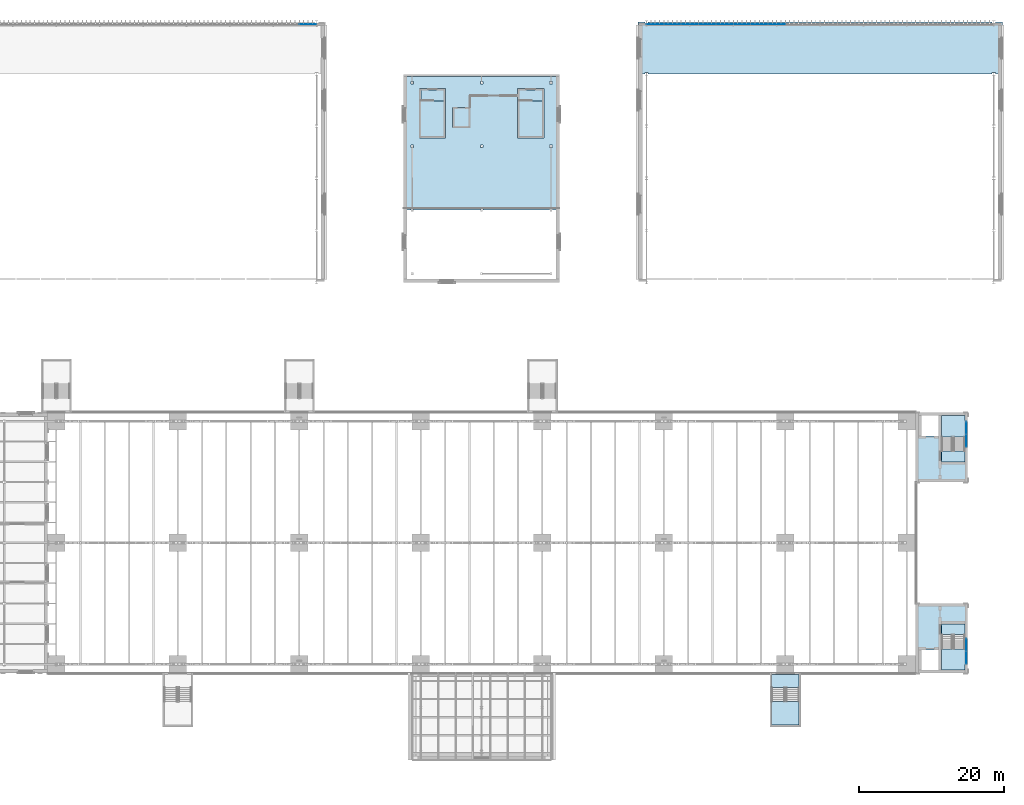
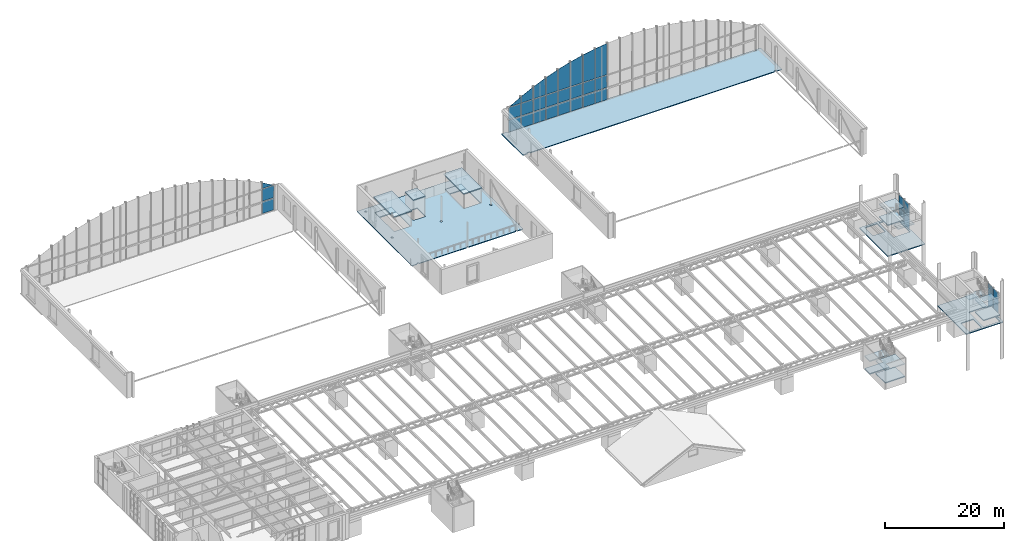
# One storey, part 52 of 93: 35 plates, 19 slabs, 7 elements without a shape of their own.
"""IFC4 building model written with IfcOpenShell, lengths in metres."""

from ifc_helpers import new_model, si_unit, direction, frame, origin, origin_2d, place, context, subcontext, project, spatial, polyline, rectangle, outline, extrude, material, layer, layer_set, type_object, element, aggregate, save


model = new_model("IFC4")

# Units and contexts
model_context = context("Model", 3, precision=1e-05, world=origin(), true_north=direction((0.0, 1.0)))
body_context = subcontext(model_context, "Body", "Model", "MODEL_VIEW")
ifc_project = project(units=[si_unit("LENGTHUNIT", "METRE"), si_unit("AREAUNIT", "SQUARE_METRE"), si_unit("VOLUMEUNIT", "CUBIC_METRE"), si_unit("PLANEANGLEUNIT", "RADIAN"), si_unit("MASSUNIT", "GRAM", prefix="KILO")], contexts=[model_context])

# Site, building, storey
site_placement = place(None, origin())
site = spatial("IfcSite", under=ifc_project, at=site_placement, CompositionType="ELEMENT")
building_placement = place(site_placement, origin())
building = spatial("IfcBuilding", under=site, at=building_placement, Name="Verrick Yard Athletic Hall", CompositionType="ELEMENT")
storey_placement = place(building_placement, frame((0.0, 0.0, 8.800048828125)))
storey = spatial("IfcBuildingStorey", under=building, at=storey_placement, Name="L02", CompositionType="ELEMENT", Elevation=8.800048828125)

# Slabs
ifc_material_1 = material(Name="Concrete 35 MPa", Category="concrete")
ifc_layer_1 = layer(ifc_material_1, 0.199951171875)
ifc_layer_set_1 = layer_set([ifc_layer_1], Name="Core floor slab 200")
slab_type_1 = type_object("IfcSlabType", Name="Core floor slab 200", PredefinedType="FLOOR", material=ifc_layer_set_1)
slab_1_placement = place(storey_placement, frame((0.0, 0.0, -0.199951171875)))
element("IfcSlab", 1, at=slab_1_placement, inside=storey, type_object=slab_type_1, Name="CORE-CB3-FLR-L02", PredefinedType="FLOOR", context=body_context, shape_type="SweptSolid", body=[
    extrude(outline(polyline([(158.800048828125, 18.0), (166.0, 18.0), (166.0, 27.60009765625), (158.800048828125, 27.60009765625), (158.800048828125, 18.0)]), holes=[polyline([(162.403076171875, 23.297119140625), (165.596923828125, 23.297119140625), (165.596923828125, 18.403076171875), (162.403076171875, 18.403076171875), (162.403076171875, 23.297119140625)]), polyline([(159.60302734375, 18.403076171875), (159.60302734375, 21.197021484375), (161.9970703125, 21.197021484375), (161.9970703125, 18.403076171875), (159.60302734375, 18.403076171875)])]), origin(), (0.0, 0.0, 1.0), 0.199951171875),
])
slab_2_placement = place(storey_placement, frame((0.0, 0.0, -0.199951171875)))
element("IfcSlab", 2, at=slab_2_placement, inside=storey, type_object=slab_type_1, Name="CORE-CB4-FLR-L02", PredefinedType="FLOOR", context=body_context, shape_type="SweptSolid", body=[
    extrude(outline(polyline([(158.800048828125, 44.39990234375), (166.0, 44.39990234375), (166.0, 54.0), (158.800048828125, 54.0), (158.800048828125, 44.39990234375)]), holes=[polyline([(165.596923828125, 48.702880859375), (162.403076171875, 48.702880859375), (162.403076171875, 53.596923828125), (165.596923828125, 53.596923828125), (165.596923828125, 48.702880859375)]), polyline([(159.60302734375, 50.802978515625), (159.60302734375, 53.596923828125), (161.9970703125, 53.596923828125), (161.9970703125, 50.802978515625), (159.60302734375, 50.802978515625)])]), origin(), (0.0, 0.0, 1.0), 0.199951171875),
])
slab_3_placement = place(storey_placement, frame((0.0, 0.0, -0.199951171875)))
element("IfcSlab", 3, at=slab_3_placement, inside=storey, type_object=slab_type_1, Name="CORE-CH-E-NL-L02", PredefinedType="FLOOR", context=body_context, shape_type="SweptSolid", body=[
    extrude(outline(polyline([(104.0, 98.60009765625), (104.0, 97.10009765625), (107.199951171875, 97.10009765625), (107.199951171875, 98.60009765625), (104.0, 98.60009765625)])), origin(), (0.0, 0.0, 1.0), 0.199951171875),
])
slab_4_placement = place(storey_placement, frame((0.0, 0.0, -0.199951171875)))
element("IfcSlab", 4, at=slab_4_placement, inside=storey, type_object=slab_type_1, Name="CORE-CH-W-NL-L02", PredefinedType="FLOOR", context=body_context, shape_type="SweptSolid", body=[
    extrude(outline(polyline([(90.39990234375, 98.60009765625), (90.39990234375, 97.10009765625), (93.60009765625, 97.10009765625), (93.60009765625, 98.60009765625), (90.39990234375, 98.60009765625)])), origin(), (0.0, 0.0, 1.0), 0.199951171875),
])
slab_5_placement = place(storey_placement, frame((0.0, 0.0, -0.199951171875)))
element("IfcSlab", 5, at=slab_5_placement, inside=storey, type_object=slab_type_1, Name="CORE-DT-S2-NL-L02", PredefinedType="FLOOR", context=body_context, shape_type="SweptSolid", body=[
    extrude(outline(polyline([(138.89990234375, 17.800048828125), (138.89990234375, 16.0), (142.699951171875, 16.0), (142.699951171875, 17.800048828125), (138.89990234375, 17.800048828125)])), origin(), (0.0, 0.0, 1.0), 0.199951171875),
])

# Curtain wall, plates
ifc_material_2 = material(Name="Aluminium 6063-T5", Category="aluminium")
curtain_wall_type_1 = type_object("IfcCurtainWallType", Name="Core glazing strip", PredefinedType="NOTDEFINED", material=ifc_material_2)
curtain_wall_1_placement = place(storey_placement, origin())
curtain_wall_1 = element("IfcCurtainWall", 6, at=curtain_wall_1_placement, inside=storey, type_object=curtain_wall_type_1, Name="CORE-CB3-CW-L02", PredefinedType="NOTDEFINED")
ifc_material_3 = material(Name="Glass IGU low-e", Category="glass")
ifc_layer_2 = layer(ifc_material_3, 0.028076171875)
ifc_layer_set_2 = layer_set([ifc_layer_2], Name="Core glazing panel 28")
plate_type_1 = type_object("IfcPlateType", Name="Core glazing panel 28", PredefinedType="CURTAIN_PANEL", material=ifc_layer_set_2)
plate_1_placement = place(storey_placement, frame((165.800048828125, 20.114990234375, 0.06005859375), z_axis=(0.0, 0.0, 1.0), x_axis=(0.0, 1.0, 0.0)))
plate_1 = element("IfcPlate", 7, at=plate_1_placement, type_object=plate_type_1, Name="CW5 panel 1.1", PredefinedType="CURTAIN_PANEL", context=body_context, shape_type="SweptSolid", body=[
    extrude(rectangle(XDim=1.7099609375, YDim=0.028076171875, at=origin_2d()), origin(), (0.0, 0.0, 1.0), 2.510009765625),
])
plate_2_placement = place(storey_placement, frame((165.800048828125, 20.114990234375, 2.6298828125), z_axis=(0.0, 0.0, 1.0), x_axis=(0.0, 1.0, 0.0)))
plate_2 = element("IfcPlate", 8, at=plate_2_placement, type_object=plate_type_1, Name="CW5 panel 1.2", PredefinedType="CURTAIN_PANEL", context=body_context, shape_type="SweptSolid", body=[
    extrude(rectangle(XDim=1.7099609375, YDim=0.028076171875, at=origin_2d()), origin(), (0.0, 0.0, 1.0), 2.510009765625),
])
plate_3_placement = place(storey_placement, frame((165.800048828125, 21.885009765625, 0.06005859375), z_axis=(0.0, 0.0, 1.0), x_axis=(0.0, 1.0, 0.0)))
plate_3 = element("IfcPlate", 9, at=plate_3_placement, type_object=plate_type_1, Name="CW5 panel 2.1", PredefinedType="CURTAIN_PANEL", context=body_context, shape_type="SweptSolid", body=[
    extrude(rectangle(XDim=1.7099609375, YDim=0.028076171875, at=origin_2d()), origin(), (0.0, 0.0, 1.0), 2.510009765625),
])
plate_4_placement = place(storey_placement, frame((165.800048828125, 21.885009765625, 2.6298828125), z_axis=(0.0, 0.0, 1.0), x_axis=(0.0, 1.0, 0.0)))
plate_4 = element("IfcPlate", 10, at=plate_4_placement, type_object=plate_type_1, Name="CW5 panel 2.2", PredefinedType="CURTAIN_PANEL", context=body_context, shape_type="SweptSolid", body=[
    extrude(rectangle(XDim=1.7099609375, YDim=0.028076171875, at=origin_2d()), origin(), (0.0, 0.0, 1.0), 2.510009765625),
])
aggregate(curtain_wall_1, [plate_1, plate_2, plate_3, plate_4])

curtain_wall_2_placement = place(storey_placement, origin())
curtain_wall_2 = element("IfcCurtainWall", 11, at=curtain_wall_2_placement, inside=storey, type_object=curtain_wall_type_1, Name="CORE-CB4-CW-L02", PredefinedType="NOTDEFINED")
plate_5_placement = place(storey_placement, frame((165.800048828125, 50.114990234375, 0.06005859375), z_axis=(0.0, 0.0, 1.0), x_axis=(0.0, 1.0, 0.0)))
plate_5 = element("IfcPlate", 12, at=plate_5_placement, type_object=plate_type_1, Name="CW5 panel 1.1", PredefinedType="CURTAIN_PANEL", context=body_context, shape_type="SweptSolid", body=[
    extrude(rectangle(XDim=1.7099609375, YDim=0.028076171875, at=origin_2d()), origin(), (0.0, 0.0, 1.0), 2.510009765625),
])
plate_6_placement = place(storey_placement, frame((165.800048828125, 50.114990234375, 2.6298828125), z_axis=(0.0, 0.0, 1.0), x_axis=(0.0, 1.0, 0.0)))
plate_6 = element("IfcPlate", 13, at=plate_6_placement, type_object=plate_type_1, Name="CW5 panel 1.2", PredefinedType="CURTAIN_PANEL", context=body_context, shape_type="SweptSolid", body=[
    extrude(rectangle(XDim=1.7099609375, YDim=0.028076171875, at=origin_2d()), origin(), (0.0, 0.0, 1.0), 2.510009765625),
])
plate_7_placement = place(storey_placement, frame((165.800048828125, 51.885009765625, 0.06005859375), z_axis=(0.0, 0.0, 1.0), x_axis=(0.0, 1.0, 0.0)))
plate_7 = element("IfcPlate", 14, at=plate_7_placement, type_object=plate_type_1, Name="CW5 panel 2.1", PredefinedType="CURTAIN_PANEL", context=body_context, shape_type="SweptSolid", body=[
    extrude(rectangle(XDim=1.7099609375, YDim=0.028076171875, at=origin_2d()), origin(), (0.0, 0.0, 1.0), 2.510009765625),
])
plate_8_placement = place(storey_placement, frame((165.800048828125, 51.885009765625, 2.6298828125), z_axis=(0.0, 0.0, 1.0), x_axis=(0.0, 1.0, 0.0)))
plate_8 = element("IfcPlate", 15, at=plate_8_placement, type_object=plate_type_1, Name="CW5 panel 2.2", PredefinedType="CURTAIN_PANEL", context=body_context, shape_type="SweptSolid", body=[
    extrude(rectangle(XDim=1.7099609375, YDim=0.028076171875, at=origin_2d()), origin(), (0.0, 0.0, 1.0), 2.510009765625),
])
aggregate(curtain_wall_2, [plate_5, plate_6, plate_7, plate_8])

# Slabs
ifc_layer_3 = layer(ifc_material_1, 0.199951171875)
ifc_layer_set_3 = layer_set([ifc_layer_3], Name="Core roof slab 200")
slab_type_2 = type_object("IfcSlabType", Name="Core roof slab 200", PredefinedType="ROOF", material=ifc_layer_set_3)
slab_6_placement = place(storey_placement, frame((0.0, 0.0, 3.0)))
element("IfcSlab", 16, at=slab_6_placement, inside=storey, type_object=slab_type_2, Name="CORE-CH-E-COVER", PredefinedType="ROOF", context=body_context, shape_type="SweptSolid", body=[
    extrude(outline(polyline([(103.800048828125, 92.0), (107.39990234375, 92.0), (107.39990234375, 98.800048828125), (103.800048828125, 98.800048828125), (103.800048828125, 92.0)])), origin(), (0.0, 0.0, 1.0), 0.199951171875),
])
slab_7_placement = place(storey_placement, frame((0.0, 0.0, 3.0)))
element("IfcSlab", 17, at=slab_7_placement, inside=storey, type_object=slab_type_2, Name="CORE-CH-W-COVER", PredefinedType="ROOF", context=body_context, shape_type="SweptSolid", body=[
    extrude(outline(polyline([(90.199951171875, 92.0), (93.800048828125, 92.0), (93.800048828125, 98.800048828125), (90.199951171875, 98.800048828125), (90.199951171875, 92.0)])), origin(), (0.0, 0.0, 1.0), 0.199951171875),
])
slab_8_placement = place(storey_placement, frame((0.0, 0.0, 4.0)))
element("IfcSlab", 18, at=slab_8_placement, inside=storey, type_object=slab_type_2, Name="CORE-LF-CH-COVER", PredefinedType="ROOF", context=body_context, shape_type="SweptSolid", body=[
    extrude(outline(polyline([(94.800048828125, 93.39990234375), (97.199951171875, 93.39990234375), (97.199951171875, 96.199951171875), (94.800048828125, 96.199951171875), (94.800048828125, 93.39990234375)])), origin(), (0.0, 0.0, 1.0), 0.199951171875),
])

# Curtain wall, plates
ifc_material_4 = material(Name="Anodised aluminium", Category="aluminium")
ifc_layer_4 = layer(ifc_material_4, 0.199951171875)
ifc_layer_set_4 = layer_set([ifc_layer_4], Name="Gable glazing")
curtain_wall_type_2 = type_object("IfcCurtainWallType", Name="Gable glazing", PredefinedType="NOTDEFINED", material=ifc_layer_set_4)
curtain_wall_3_placement = place(storey_placement, origin())
curtain_wall_3 = element("IfcCurtainWall", 19, at=curtain_wall_3_placement, inside=storey, type_object=curtain_wall_type_2, Name="Gable curtain wall AN", PredefinedType="NOTDEFINED")
ifc_layer_5 = layer(ifc_material_3, 0.03125)
ifc_layer_set_5 = layer_set([ifc_layer_5], Name="Glazing panel 31")
plate_type_2 = type_object("IfcPlateType", Name="Glazing panel 31", PredefinedType="CURTAIN_PANEL", material=ifc_layer_set_5)
plate_9_placement = place(storey_placement, frame((122.800048828125, 107.681640625, 0.119873046875), z_axis=(0.0, 0.0, 1.0), x_axis=(1.0, 0.0, 0.0)))
plate_9 = element("IfcPlate", 20, at=plate_9_placement, type_object=plate_type_2, Name="ENVB-HAN-CW/P00-00", PredefinedType="CURTAIN_PANEL", context=body_context, shape_type="SweptSolid", body=[
    extrude(rectangle(XDim=2.340087890625, YDim=0.03125, at=origin_2d()), origin(), (0.0, 0.0, 1.0), 2.419921875),
])
plate_10_placement = place(storey_placement, frame((122.800048828125, 107.681640625, 2.659912109375), z_axis=(0.0, 0.0, 1.0), x_axis=(1.0, 0.0, 0.0)))
plate_10 = element("IfcPlate", 21, at=plate_10_placement, type_object=plate_type_2, Name="ENVB-HAN-CW/P00-01", PredefinedType="CURTAIN_PANEL", context=body_context, shape_type="SweptSolid", body=[
    extrude(rectangle(XDim=2.340087890625, YDim=0.03125, at=origin_2d()), origin(), (0.0, 0.0, 1.0), 2.47998046875),
])
plate_11_placement = place(storey_placement, frame((125.199951171875, 107.681640625, 0.119873046875), z_axis=(0.0, 0.0, 1.0), x_axis=(1.0, 0.0, 0.0)))
plate_11 = element("IfcPlate", 22, at=plate_11_placement, type_object=plate_type_2, Name="ENVB-HAN-CW/P01-00", PredefinedType="CURTAIN_PANEL", context=body_context, shape_type="SweptSolid", body=[
    extrude(rectangle(XDim=2.340087890625, YDim=0.03125, at=origin_2d()), origin(), (0.0, 0.0, 1.0), 2.419921875),
])
plate_12_placement = place(storey_placement, frame((125.199951171875, 107.681640625, 2.659912109375), z_axis=(0.0, 0.0, 1.0), x_axis=(1.0, 0.0, 0.0)))
plate_12 = element("IfcPlate", 23, at=plate_12_placement, type_object=plate_type_2, Name="ENVB-HAN-CW/P01-01", PredefinedType="CURTAIN_PANEL", context=body_context, shape_type="SweptSolid", body=[
    extrude(rectangle(XDim=2.340087890625, YDim=0.03125, at=origin_2d()), origin(), (0.0, 0.0, 1.0), 2.47998046875),
])
plate_13_placement = place(storey_placement, frame((127.60009765625, 107.681640625, 0.119873046875), z_axis=(0.0, 0.0, 1.0), x_axis=(1.0, 0.0, 0.0)))
plate_13 = element("IfcPlate", 24, at=plate_13_placement, type_object=plate_type_2, Name="ENVB-HAN-CW/P02-00", PredefinedType="CURTAIN_PANEL", context=body_context, shape_type="SweptSolid", body=[
    extrude(rectangle(XDim=2.340087890625, YDim=0.03125, at=origin_2d()), origin(), (0.0, 0.0, 1.0), 2.419921875),
])
plate_14_placement = place(storey_placement, frame((127.60009765625, 107.681640625, 2.659912109375), z_axis=(0.0, 0.0, 1.0), x_axis=(1.0, 0.0, 0.0)))
plate_14 = element("IfcPlate", 25, at=plate_14_placement, type_object=plate_type_2, Name="ENVB-HAN-CW/P02-01", PredefinedType="CURTAIN_PANEL", context=body_context, shape_type="SweptSolid", body=[
    extrude(rectangle(XDim=2.340087890625, YDim=0.03125, at=origin_2d()), origin(), (0.0, 0.0, 1.0), 2.47998046875),
])
plate_15_placement = place(storey_placement, frame((130.0, 107.681640625, 0.119873046875), z_axis=(0.0, 0.0, 1.0), x_axis=(1.0, 0.0, 0.0)))
plate_15 = element("IfcPlate", 26, at=plate_15_placement, type_object=plate_type_2, Name="ENVB-HAN-CW/P03-00", PredefinedType="CURTAIN_PANEL", context=body_context, shape_type="SweptSolid", body=[
    extrude(rectangle(XDim=2.340087890625, YDim=0.03125, at=origin_2d()), origin(), (0.0, 0.0, 1.0), 2.419921875),
])
plate_16_placement = place(storey_placement, frame((130.0, 107.681640625, 2.659912109375), z_axis=(0.0, 0.0, 1.0), x_axis=(1.0, 0.0, 0.0)))
plate_16 = element("IfcPlate", 27, at=plate_16_placement, type_object=plate_type_2, Name="ENVB-HAN-CW/P03-01", PredefinedType="CURTAIN_PANEL", context=body_context, shape_type="SweptSolid", body=[
    extrude(rectangle(XDim=2.340087890625, YDim=0.03125, at=origin_2d()), origin(), (0.0, 0.0, 1.0), 2.47998046875),
])
plate_17_placement = place(storey_placement, frame((132.39990234375, 107.681640625, 0.119873046875), z_axis=(0.0, 0.0, 1.0), x_axis=(1.0, 0.0, 0.0)))
plate_17 = element("IfcPlate", 28, at=plate_17_placement, type_object=plate_type_2, Name="ENVB-HAN-CW/P04-00", PredefinedType="CURTAIN_PANEL", context=body_context, shape_type="SweptSolid", body=[
    extrude(rectangle(XDim=2.340087890625, YDim=0.03125, at=origin_2d()), origin(), (0.0, 0.0, 1.0), 2.419921875),
])
plate_18_placement = place(storey_placement, frame((132.39990234375, 107.681640625, 2.659912109375), z_axis=(0.0, 0.0, 1.0), x_axis=(1.0, 0.0, 0.0)))
plate_18 = element("IfcPlate", 29, at=plate_18_placement, type_object=plate_type_2, Name="ENVB-HAN-CW/P04-01", PredefinedType="CURTAIN_PANEL", context=body_context, shape_type="SweptSolid", body=[
    extrude(rectangle(XDim=2.340087890625, YDim=0.03125, at=origin_2d()), origin(), (0.0, 0.0, 1.0), 2.47998046875),
])
plate_19_placement = place(storey_placement, frame((134.800048828125, 107.681640625, 0.119873046875), z_axis=(0.0, 0.0, 1.0), x_axis=(1.0, 0.0, 0.0)))
plate_19 = element("IfcPlate", 30, at=plate_19_placement, type_object=plate_type_2, Name="ENVB-HAN-CW/P05-00", PredefinedType="CURTAIN_PANEL", context=body_context, shape_type="SweptSolid", body=[
    extrude(rectangle(XDim=2.340087890625, YDim=0.03125, at=origin_2d()), origin(), (0.0, 0.0, 1.0), 2.419921875),
])
plate_20_placement = place(storey_placement, frame((134.800048828125, 107.681640625, 2.659912109375), z_axis=(0.0, 0.0, 1.0), x_axis=(1.0, 0.0, 0.0)))
plate_20 = element("IfcPlate", 31, at=plate_20_placement, type_object=plate_type_2, Name="ENVB-HAN-CW/P05-01", PredefinedType="CURTAIN_PANEL", context=body_context, shape_type="SweptSolid", body=[
    extrude(rectangle(XDim=2.340087890625, YDim=0.03125, at=origin_2d()), origin(), (0.0, 0.0, 1.0), 2.47998046875),
])
plate_21_placement = place(storey_placement, frame((137.199951171875, 107.681640625, 0.119873046875), z_axis=(0.0, 0.0, 1.0), x_axis=(1.0, 0.0, 0.0)))
plate_21 = element("IfcPlate", 32, at=plate_21_placement, type_object=plate_type_2, Name="ENVB-HAN-CW/P06-00", PredefinedType="CURTAIN_PANEL", context=body_context, shape_type="SweptSolid", body=[
    extrude(rectangle(XDim=2.340087890625, YDim=0.03125, at=origin_2d()), origin(), (0.0, 0.0, 1.0), 2.419921875),
])
plate_22_placement = place(storey_placement, frame((137.199951171875, 107.681640625, 2.659912109375), z_axis=(0.0, 0.0, 1.0), x_axis=(1.0, 0.0, 0.0)))
plate_22 = element("IfcPlate", 33, at=plate_22_placement, type_object=plate_type_2, Name="ENVB-HAN-CW/P06-01", PredefinedType="CURTAIN_PANEL", context=body_context, shape_type="SweptSolid", body=[
    extrude(rectangle(XDim=2.340087890625, YDim=0.03125, at=origin_2d()), origin(), (0.0, 0.0, 1.0), 2.47998046875),
])
plate_23_placement = place(storey_placement, frame((139.60009765625, 107.681640625, 0.119873046875), z_axis=(0.0, 0.0, 1.0), x_axis=(1.0, 0.0, 0.0)))
plate_23 = element("IfcPlate", 34, at=plate_23_placement, type_object=plate_type_2, Name="ENVB-HAN-CW/P07-00", PredefinedType="CURTAIN_PANEL", context=body_context, shape_type="SweptSolid", body=[
    extrude(rectangle(XDim=2.340087890625, YDim=0.03125, at=origin_2d()), origin(), (0.0, 0.0, 1.0), 2.419921875),
])
plate_24_placement = place(storey_placement, frame((139.60009765625, 107.681640625, 2.659912109375), z_axis=(0.0, 0.0, 1.0), x_axis=(1.0, 0.0, 0.0)))
plate_24 = element("IfcPlate", 35, at=plate_24_placement, type_object=plate_type_2, Name="ENVB-HAN-CW/P07-01", PredefinedType="CURTAIN_PANEL", context=body_context, shape_type="SweptSolid", body=[
    extrude(rectangle(XDim=2.340087890625, YDim=0.03125, at=origin_2d()), origin(), (0.0, 0.0, 1.0), 2.47998046875),
])
plate_25_placement = place(storey_placement, frame((121.765625, 107.681640625, 5.260009765625), z_axis=(0.0, 0.0, 1.0), x_axis=(1.0, 0.0, 0.0)))
plate_25 = element("IfcPlate", 36, at=plate_25_placement, type_object=plate_type_2, Name="ENVB-HAN-CW/PA00", PredefinedType="CURTAIN_PANEL", context=body_context, shape_type="SweptSolid", body=[
    extrude(outline(polyline([(2.204345703125, 1.2587890625), (2.204345703125, 0.0), (0.0, 0.0), (2.204345703125, 1.2587890625)])), frame((0.0, 0.015625, 0.0), z_axis=(0.0, -1.0, 0.0), x_axis=(1.0, 0.0, 0.0)), (0.0, 0.0, 1.0), 0.03125),
])
plate_26_placement = place(storey_placement, frame((124.030029296875, 107.681640625, 5.260009765625), z_axis=(0.0, 0.0, 1.0), x_axis=(1.0, 0.0, 0.0)))
plate_26 = element("IfcPlate", 37, at=plate_26_placement, type_object=plate_type_2, Name="ENVB-HAN-CW/PA01", PredefinedType="CURTAIN_PANEL", context=body_context, shape_type="SweptSolid", body=[
    extrude(outline(polyline([(0.0, 1.291748046875), (2.340087890625, 2.4501953125), (2.340087890625, 0.0), (0.0, 0.0), (0.0, 1.291748046875)])), frame((0.0, 0.015625, 0.0), z_axis=(0.0, -1.0, 0.0), x_axis=(1.0, 0.0, 0.0)), (0.0, 0.0, 1.0), 0.03125),
])
plate_27_placement = place(storey_placement, frame((126.429931640625, 107.681640625, 5.260009765625), z_axis=(0.0, 0.0, 1.0), x_axis=(1.0, 0.0, 0.0)))
plate_27 = element("IfcPlate", 38, at=plate_27_placement, type_object=plate_type_2, Name="ENVB-HAN-CW/PA02", PredefinedType="CURTAIN_PANEL", context=body_context, shape_type="SweptSolid", body=[
    extrude(outline(polyline([(0.0, 2.478759765625), (2.340087890625, 3.47412109375), (2.340087890625, 0.0), (0.0, 0.0), (0.0, 2.478759765625)])), frame((0.0, 0.015625, 0.0), z_axis=(0.0, -1.0, 0.0), x_axis=(1.0, 0.0, 0.0)), (0.0, 0.0, 1.0), 0.03125),
])
plate_28_placement = place(storey_placement, frame((128.830078125, 107.681640625, 5.260009765625), z_axis=(0.0, 0.0, 1.0), x_axis=(1.0, 0.0, 0.0)))
plate_28 = element("IfcPlate", 39, at=plate_28_placement, type_object=plate_type_2, Name="ENVB-HAN-CW/PA03", PredefinedType="CURTAIN_PANEL", context=body_context, shape_type="SweptSolid", body=[
    extrude(outline(polyline([(0.0, 3.49853515625), (2.340087890625, 4.34228515625), (2.340087890625, 0.0), (0.0, 0.0), (0.0, 3.49853515625)])), frame((0.0, 0.015625, 0.0), z_axis=(0.0, -1.0, 0.0), x_axis=(1.0, 0.0, 0.0)), (0.0, 0.0, 1.0), 0.03125),
])
plate_29_placement = place(storey_placement, frame((131.22998046875, 107.681640625, 5.260009765625), z_axis=(0.0, 0.0, 1.0), x_axis=(1.0, 0.0, 0.0)))
plate_29 = element("IfcPlate", 40, at=plate_29_placement, type_object=plate_type_2, Name="ENVB-HAN-CW/PA04", PredefinedType="CURTAIN_PANEL", context=body_context, shape_type="SweptSolid", body=[
    extrude(outline(polyline([(0.0, 4.36279296875), (2.340087890625, 5.06396484375), (2.340087890625, 0.0), (0.0, 0.0), (0.0, 4.36279296875)])), frame((0.0, 0.015625, 0.0), z_axis=(0.0, -1.0, 0.0), x_axis=(1.0, 0.0, 0.0)), (0.0, 0.0, 1.0), 0.03125),
])
plate_30_placement = place(storey_placement, frame((133.6298828125, 107.681640625, 5.260009765625), z_axis=(0.0, 0.0, 1.0), x_axis=(1.0, 0.0, 0.0)))
plate_30 = element("IfcPlate", 41, at=plate_30_placement, type_object=plate_type_2, Name="ENVB-HAN-CW/PA05", PredefinedType="CURTAIN_PANEL", context=body_context, shape_type="SweptSolid", body=[
    extrude(outline(polyline([(0.0, 5.080810546875), (2.340087890625, 5.646240234375), (2.340087890625, 0.0), (0.0, 0.0), (0.0, 5.080810546875)])), frame((0.0, 0.015625, 0.0), z_axis=(0.0, -1.0, 0.0), x_axis=(1.0, 0.0, 0.0)), (0.0, 0.0, 1.0), 0.03125),
])
plate_31_placement = place(storey_placement, frame((136.030029296875, 107.681640625, 5.260009765625), z_axis=(0.0, 0.0, 1.0), x_axis=(1.0, 0.0, 0.0)))
plate_31 = element("IfcPlate", 42, at=plate_31_placement, type_object=plate_type_2, Name="ENVB-HAN-CW/PA06", PredefinedType="CURTAIN_PANEL", context=body_context, shape_type="SweptSolid", body=[
    extrude(outline(polyline([(0.0, 5.6591796875), (2.340087890625, 6.093994140625), (2.340087890625, 0.0), (0.0, 0.0), (0.0, 5.6591796875)])), frame((0.0, 0.015625, 0.0), z_axis=(0.0, -1.0, 0.0), x_axis=(1.0, 0.0, 0.0)), (0.0, 0.0, 1.0), 0.03125),
])
plate_32_placement = place(storey_placement, frame((138.429931640625, 107.681640625, 5.260009765625), z_axis=(0.0, 0.0, 1.0), x_axis=(1.0, 0.0, 0.0)))
plate_32 = element("IfcPlate", 43, at=plate_32_placement, type_object=plate_type_2, Name="ENVB-HAN-CW/PA07", PredefinedType="CURTAIN_PANEL", context=body_context, shape_type="SweptSolid", body=[
    extrude(outline(polyline([(0.0, 6.103759765625), (2.340087890625, 6.41162109375), (2.340087890625, 0.0), (0.0, 0.0), (0.0, 6.103759765625)])), frame((0.0, 0.015625, 0.0), z_axis=(0.0, -1.0, 0.0), x_axis=(1.0, 0.0, 0.0)), (0.0, 0.0, 1.0), 0.03125),
])
aggregate(curtain_wall_3, [plate_9, plate_10, plate_11, plate_12, plate_13, plate_14, plate_15, plate_16, plate_17, plate_18, plate_19, plate_20, plate_21, plate_22, plate_23, plate_24, plate_25, plate_26, plate_27, plate_28, plate_29, plate_30, plate_31, plate_32])

curtain_wall_4_placement = place(storey_placement, origin())
curtain_wall_4 = element("IfcCurtainWall", 44, at=curtain_wall_4_placement, inside=storey, type_object=curtain_wall_type_2, Name="Gable curtain wall BN", PredefinedType="NOTDEFINED")
plate_33_placement = place(storey_placement, frame((74.800048828125, 107.681640625, 0.119873046875), z_axis=(0.0, 0.0, 1.0), x_axis=(1.0, 0.0, 0.0)))
plate_33 = element("IfcPlate", 45, at=plate_33_placement, type_object=plate_type_2, Name="ENVB-HBN-CW/P19-00", PredefinedType="CURTAIN_PANEL", context=body_context, shape_type="SweptSolid", body=[
    extrude(rectangle(XDim=2.340087890625, YDim=0.03125, at=origin_2d()), origin(), (0.0, 0.0, 1.0), 2.419921875),
])
plate_34_placement = place(storey_placement, frame((74.800048828125, 107.681640625, 2.659912109375), z_axis=(0.0, 0.0, 1.0), x_axis=(1.0, 0.0, 0.0)))
plate_34 = element("IfcPlate", 46, at=plate_34_placement, type_object=plate_type_2, Name="ENVB-HBN-CW/P19-01", PredefinedType="CURTAIN_PANEL", context=body_context, shape_type="SweptSolid", body=[
    extrude(rectangle(XDim=2.340087890625, YDim=0.03125, at=origin_2d()), origin(), (0.0, 0.0, 1.0), 2.47998046875),
])
plate_35_placement = place(storey_placement, frame((73.6298828125, 107.681640625, 5.260009765625), z_axis=(0.0, 0.0, 1.0), x_axis=(1.0, 0.0, 0.0)))
plate_35 = element("IfcPlate", 47, at=plate_35_placement, type_object=plate_type_2, Name="ENVB-HBN-CW/PA19", PredefinedType="CURTAIN_PANEL", context=body_context, shape_type="SweptSolid", body=[
    extrude(outline(polyline([(0.0, 1.2587890625), (2.204345703125, 0.0), (0.0, 0.0), (0.0, 1.2587890625)])), frame((0.0, 0.015625, 0.0), z_axis=(0.0, -1.0, 0.0), x_axis=(1.0, 0.0, 0.0)), (0.0, 0.0, 1.0), 0.03125),
])
aggregate(curtain_wall_4, [plate_33, plate_34, plate_35])

# Slabs
ifc_layer_6 = layer(ifc_material_1, 0.14990234375)
ifc_layer_set_6 = layer_set([ifc_layer_6], Name="HB band roof slab 150")
slab_type_3 = type_object("IfcSlabType", Name="HB band roof slab 150", PredefinedType="ROOF", material=ifc_layer_set_6)
slab_9_placement = place(storey_placement, frame((0.0, 0.0, -0.150146484375)))
element("IfcSlab", 48, at=slab_9_placement, inside=storey, type_object=slab_type_3, Name="HB-SL-A-RF", PredefinedType="ROOF", context=body_context, shape_type="SweptSolid", body=[
    extrude(outline(polyline([(170.800048828125, 108.0), (170.800048828125, 100.800048828125), (169.83447265625, 100.800048828125), (169.83447265625, 101.028076171875), (169.365478515625, 101.028076171875), (169.365478515625, 100.800048828125), (121.83447265625, 100.800048828125), (121.83447265625, 101.028076171875), (121.365478515625, 101.028076171875), (121.365478515625, 100.800048828125), (120.39990234375, 100.800048828125), (120.39990234375, 108.0), (121.365478515625, 108.0), (121.365478515625, 107.77197265625), (121.83447265625, 107.77197265625), (121.83447265625, 108.0), (169.365478515625, 108.0), (169.365478515625, 107.77197265625), (169.83447265625, 107.77197265625), (169.83447265625, 108.0), (170.800048828125, 108.0)])), origin(), (0.0, 0.0, 1.0), 0.150146484375),
])
ifc_layer_7 = layer(ifc_material_1, 0.14990234375)
ifc_layer_set_7 = layer_set([ifc_layer_7], Name="HB floor slab 150")
slab_type_4 = type_object("IfcSlabType", Name="HB floor slab 150", PredefinedType="FLOOR", material=ifc_layer_set_7)
slab_10_placement = place(storey_placement, frame((0.0, 0.0, -0.150146484375)))
element("IfcSlab", 49, at=slab_10_placement, inside=storey, type_object=slab_type_4, Name="HB-SL-C-L02", PredefinedType="FLOOR", context=body_context, shape_type="SweptSolid", body=[
    extrude(outline(polyline([(88.0, 82.0), (88.0, 100.449951171875), (109.60009765625, 100.449951171875), (109.60009765625, 82.0), (108.576904296875, 82.0), (108.576904296875, 82.177001953125), (108.222900390625, 82.177001953125), (108.222900390625, 82.0), (98.97705078125, 82.0), (98.97705078125, 82.177001953125), (98.623046875, 82.177001953125), (98.623046875, 82.0), (89.376953125, 82.0), (89.376953125, 82.177001953125), (89.02294921875, 82.177001953125), (89.02294921875, 82.0), (88.0, 82.0)]), holes=[polyline([(89.376953125, 90.97705078125), (89.02294921875, 90.97705078125), (89.02294921875, 90.623046875), (89.376953125, 90.623046875), (89.376953125, 90.97705078125)]), polyline([(94.800048828125, 96.199951171875), (94.800048828125, 93.39990234375), (97.199951171875, 93.39990234375), (97.199951171875, 96.199951171875), (94.800048828125, 96.199951171875)]), polyline([(93.60009765625, 98.60009765625), (90.39990234375, 98.60009765625), (90.39990234375, 92.199951171875), (93.60009765625, 92.199951171875), (93.60009765625, 98.60009765625)]), polyline([(89.376953125, 99.777099609375), (89.02294921875, 99.777099609375), (89.02294921875, 99.423095703125), (89.376953125, 99.423095703125), (89.376953125, 99.777099609375)]), polyline([(98.97705078125, 90.97705078125), (98.623046875, 90.97705078125), (98.623046875, 90.623046875), (98.97705078125, 90.623046875), (98.97705078125, 90.97705078125)]), polyline([(108.576904296875, 90.97705078125), (108.222900390625, 90.97705078125), (108.222900390625, 90.623046875), (108.576904296875, 90.623046875), (108.576904296875, 90.97705078125)]), polyline([(104.0, 98.60009765625), (104.0, 92.199951171875), (107.199951171875, 92.199951171875), (107.199951171875, 98.60009765625), (104.0, 98.60009765625)]), polyline([(98.97705078125, 99.777099609375), (98.623046875, 99.777099609375), (98.623046875, 99.423095703125), (98.97705078125, 99.423095703125), (98.97705078125, 99.777099609375)]), polyline([(108.576904296875, 99.777099609375), (108.222900390625, 99.777099609375), (108.222900390625, 99.423095703125), (108.576904296875, 99.423095703125), (108.576904296875, 99.777099609375)])]), origin(), (0.0, 0.0, 1.0), 0.150146484375),
])

# Stair, slabs
stair_type_1 = type_object("IfcStairType", Name="Stair ST2 1500 wide 32 risers", PredefinedType="HALF_TURN_STAIR", material=ifc_material_1)
stair_1_placement = place(storey_placement, origin())
stair_1 = element("IfcStair", 50, at=stair_1_placement, inside=storey, type_object=stair_type_1, Name="Plinth south-east stair L02", PredefinedType="HALF_TURN_STAIR")
ifc_layer_8 = layer(ifc_material_1, 0.199951171875)
ifc_layer_set_8 = layer_set([ifc_layer_8], Name="Stair landing slab 200")
slab_type_5 = type_object("IfcSlabType", Name="Stair landing slab 200", PredefinedType="LANDING", material=ifc_layer_set_8)
slab_11_placement = place(storey_placement, frame((0.0, 0.0, 1.099853515625)))
slab_11 = element("IfcSlab", 51, at=slab_11_placement, type_object=slab_type_5, Name="ST2 landing 1", PredefinedType="LANDING", context=body_context, shape_type="SweptSolid", body=[
    extrude(outline(polyline([(162.39990234375, 21.340087890625), (162.39990234375, 18.39990234375), (165.60009765625, 18.39990234375), (165.60009765625, 21.340087890625), (162.39990234375, 21.340087890625)])), origin(), (0.0, 0.0, 1.0), 0.2001953125),
])
slab_12_placement = place(storey_placement, frame((0.0, 0.0, 2.39990234375)))
slab_12 = element("IfcSlab", 52, at=slab_12_placement, type_object=slab_type_5, Name="ST2 landing 2", PredefinedType="LANDING", context=body_context, shape_type="SweptSolid", body=[
    extrude(outline(polyline([(162.39990234375, 24.800048828125), (162.39990234375, 23.300048828125), (165.60009765625, 23.300048828125), (165.60009765625, 24.800048828125), (162.39990234375, 24.800048828125)])), origin(), (0.0, 0.0, 1.0), 0.199951171875),
])
slab_13_placement = place(storey_placement, frame((0.0, 0.0, 3.699951171875)))
slab_13 = element("IfcSlab", 53, at=slab_13_placement, type_object=slab_type_5, Name="ST2 landing 3", PredefinedType="LANDING", context=body_context, shape_type="SweptSolid", body=[
    extrude(outline(polyline([(162.39990234375, 21.340087890625), (162.39990234375, 18.39990234375), (165.60009765625, 18.39990234375), (165.60009765625, 21.340087890625), (162.39990234375, 21.340087890625)])), origin(), (0.0, 0.0, 1.0), 0.199951171875),
])
aggregate(stair_1, [slab_11, slab_12, slab_13])

stair_2_placement = place(storey_placement, origin())
stair_2 = element("IfcStair", 54, at=stair_2_placement, inside=storey, type_object=stair_type_1, Name="Plinth north-east stair L02", PredefinedType="HALF_TURN_STAIR")
slab_14_placement = place(storey_placement, frame((0.0, 0.0, 1.099853515625)))
slab_14 = element("IfcSlab", 55, at=slab_14_placement, type_object=slab_type_5, Name="ST2 landing 1", PredefinedType="LANDING", context=body_context, shape_type="SweptSolid", body=[
    extrude(outline(polyline([(165.60009765625, 50.659912109375), (165.60009765625, 53.60009765625), (162.39990234375, 53.60009765625), (162.39990234375, 50.659912109375), (165.60009765625, 50.659912109375)])), origin(), (0.0, 0.0, 1.0), 0.2001953125),
])
slab_15_placement = place(storey_placement, frame((0.0, 0.0, 2.39990234375)))
slab_15 = element("IfcSlab", 56, at=slab_15_placement, type_object=slab_type_5, Name="ST2 landing 2", PredefinedType="LANDING", context=body_context, shape_type="SweptSolid", body=[
    extrude(outline(polyline([(165.60009765625, 47.199951171875), (165.60009765625, 48.699951171875), (162.39990234375, 48.699951171875), (162.39990234375, 47.199951171875), (165.60009765625, 47.199951171875)])), origin(), (0.0, 0.0, 1.0), 0.199951171875),
])
slab_16_placement = place(storey_placement, frame((0.0, 0.0, 3.699951171875)))
slab_16 = element("IfcSlab", 57, at=slab_16_placement, type_object=slab_type_5, Name="ST2 landing 3", PredefinedType="LANDING", context=body_context, shape_type="SweptSolid", body=[
    extrude(outline(polyline([(165.60009765625, 50.659912109375), (165.60009765625, 53.60009765625), (162.39990234375, 53.60009765625), (162.39990234375, 50.659912109375), (165.60009765625, 50.659912109375)])), origin(), (0.0, 0.0, 1.0), 0.199951171875),
])
aggregate(stair_2, [slab_14, slab_15, slab_16])

stair_type_2 = type_object("IfcStairType", Name="Stair ST4 1800 wide 32 risers", PredefinedType="HALF_TURN_STAIR", material=ifc_material_1)
stair_3_placement = place(storey_placement, origin())
stair_3 = element("IfcStair", 58, at=stair_3_placement, inside=storey, type_object=stair_type_2, Name="South deck escape 2 stair L02", PredefinedType="HALF_TURN_STAIR")
slab_17_placement = place(storey_placement, frame((0.0, 0.0, 1.099853515625)))
slab_17 = element("IfcSlab", 59, at=slab_17_placement, type_object=slab_type_5, Name="ST4 landing 1", PredefinedType="LANDING", context=body_context, shape_type="SweptSolid", body=[
    extrude(outline(polyline([(138.89990234375, 14.0400390625), (138.89990234375, 10.800048828125), (142.699951171875, 10.800048828125), (142.699951171875, 14.0400390625), (138.89990234375, 14.0400390625)])), origin(), (0.0, 0.0, 1.0), 0.2001953125),
])
slab_18_placement = place(storey_placement, frame((0.0, 0.0, 2.39990234375)))
slab_18 = element("IfcSlab", 60, at=slab_18_placement, type_object=slab_type_5, Name="ST4 landing 2", PredefinedType="LANDING", context=body_context, shape_type="SweptSolid", body=[
    extrude(outline(polyline([(138.89990234375, 17.800048828125), (138.89990234375, 16.0), (142.699951171875, 16.0), (142.699951171875, 17.800048828125), (138.89990234375, 17.800048828125)])), origin(), (0.0, 0.0, 1.0), 0.199951171875),
])
slab_19_placement = place(storey_placement, frame((0.0, 0.0, 3.699951171875)))
slab_19 = element("IfcSlab", 61, at=slab_19_placement, type_object=slab_type_5, Name="ST4 landing 3", PredefinedType="LANDING", context=body_context, shape_type="SweptSolid", body=[
    extrude(outline(polyline([(138.89990234375, 14.0400390625), (138.89990234375, 10.800048828125), (142.699951171875, 10.800048828125), (142.699951171875, 14.0400390625), (138.89990234375, 14.0400390625)])), origin(), (0.0, 0.0, 1.0), 0.199951171875),
])
aggregate(stair_3, [slab_17, slab_18, slab_19])

save(model, "model.ifc")
